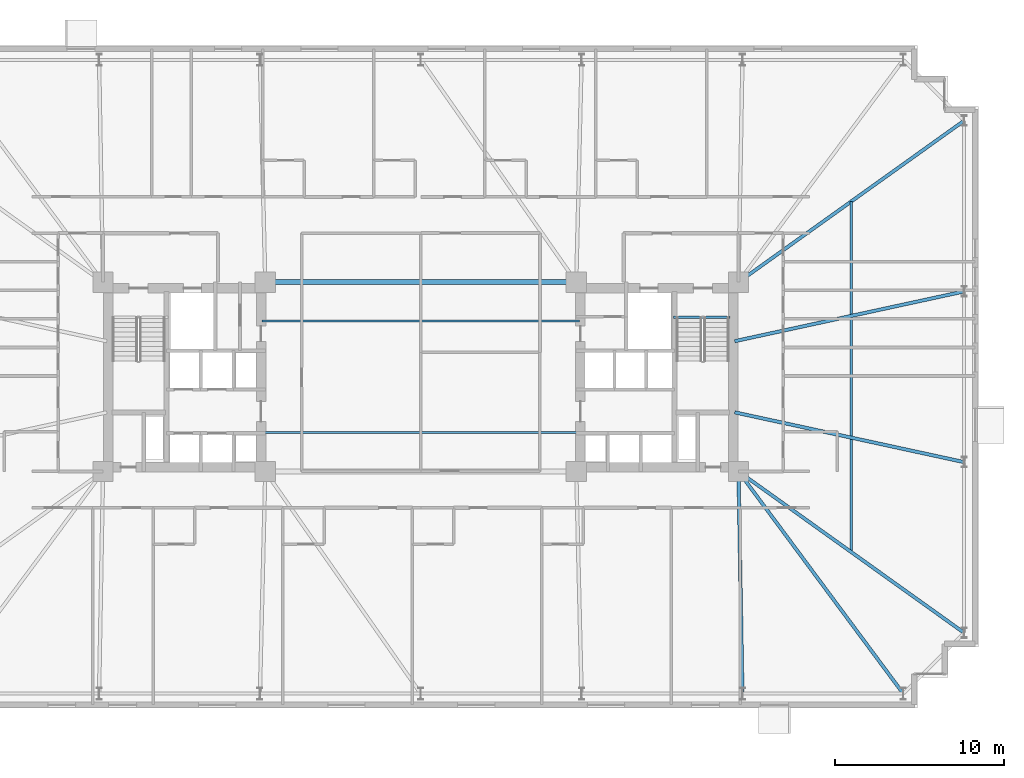
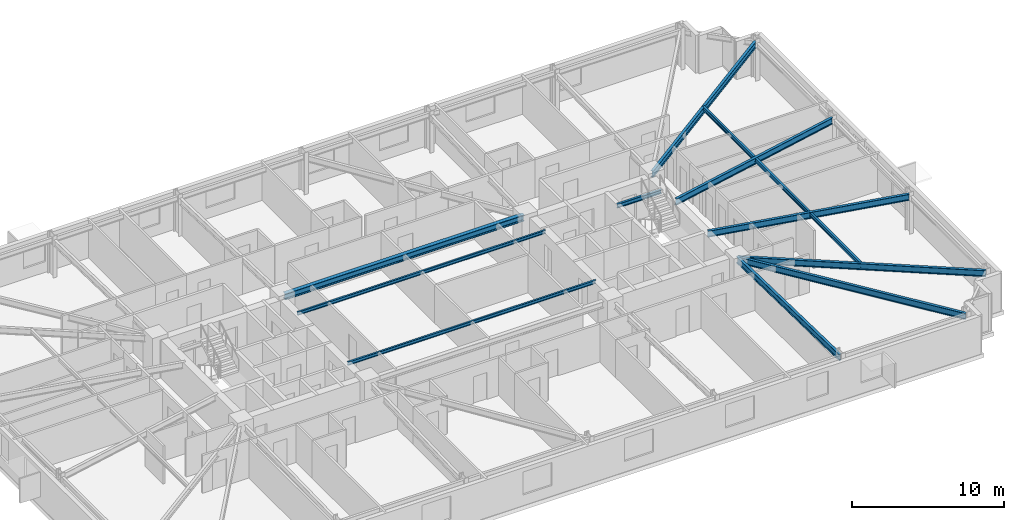
# One storey, part 7 of 21: 11 beams.
"""IFC4 building model written with IfcOpenShell, lengths in metres."""

from ifc_helpers import new_model, si_unit, direction, frame, origin, origin_2d, place, context, subcontext, project, spatial, i_section, extrude, material, material_profile, profile_set, type_object, element, save


model = new_model("IFC4")

# Units and contexts
model_context = context("Model", 3, precision=1e-05, world=origin(), true_north=direction((0.0, 1.0)))
body_context = subcontext(model_context, "Body", "Model", "MODEL_VIEW")
ifc_project = project(units=[si_unit("LENGTHUNIT", "METRE"), si_unit("AREAUNIT", "SQUARE_METRE"), si_unit("VOLUMEUNIT", "CUBIC_METRE"), si_unit("PLANEANGLEUNIT", "RADIAN"), si_unit("MASSUNIT", "GRAM", prefix="KILO")], contexts=[model_context])

# Site, building, storey
site_placement = place(None, origin())
site = spatial("IfcSite", under=ifc_project, at=site_placement, CompositionType="ELEMENT")
building_placement = place(site_placement, origin())
building = spatial("IfcBuilding", under=site, at=building_placement, Name="Qobustan Lattice House", CompositionType="ELEMENT")
storey_placement = place(building_placement, frame((0.0, 0.0, 30.35009765625)))
storey = spatial("IfcBuildingStorey", under=building, at=storey_placement, Name="L07", CompositionType="ELEMENT", Elevation=30.35009765625)

# Beams
ifc_material_1 = material(Name="Steel S355", Category="steel")
ifc_material_profile_1 = material_profile(ifc_material_1, i_section(OverallWidth=0.300048828125, OverallDepth=0.5, WebThickness=0.014404296875, FlangeThickness=0.028076171875, FilletRadius=0.027099609375, at=origin_2d()), Name="HEB500")
ifc_profile_set_1 = profile_set([ifc_material_profile_1], Name="Steel S355")
beam_type_1 = type_object("IfcBeamType", Name="BM-CG-HEB500", PredefinedType="USERDEFINED", material=ifc_profile_set_1)
beam_1_placement = place(storey_placement, frame((-9.050048828125, 5.60009765625, 2.784912109375), z_axis=(1.0, 0.0, 0.0), x_axis=(0.0, 1.0, 0.0)))
element("IfcBeam", 1, at=beam_1_placement, inside=storey, type_object=beam_type_1, Name="L07 core spine girder CG-CN", ObjectType="GIRDER", PredefinedType="USERDEFINED", context=body_context, shape_type="SweptSolid", body=[
    extrude(i_section(OverallWidth=0.300048828125, OverallDepth=0.5, WebThickness=0.014404296875, FlangeThickness=0.028076171875, FilletRadius=0.027099609375, at=origin_2d()), origin(), (0.0, 0.0, 1.0), 18.10009765625),
])
ifc_material_2 = material(Name="Steel S355", Category="steel")
ifc_material_profile_2 = material_profile(ifc_material_2, i_section(OverallWidth=0.199951171875, OverallDepth=0.5, WebThickness=0.01025390625, FlangeThickness=0.01611328125, FilletRadius=0.02099609375, at=origin_2d()), Name="IPE500")
ifc_profile_set_2 = profile_set([ifc_material_profile_2], Name="Steel S355")
beam_type_2 = type_object("IfcBeamType", Name="BM-FLG-IPE500", PredefinedType="USERDEFINED", material=ifc_profile_set_2)
beam_2_placement = place(storey_placement, frame((19.032958984375, -18.72509765625, 2.784912109375), z_axis=(-0.017757831607, 0.999842317276, 0.0), x_axis=(-0.999842317276, -0.017757831607, 0.0)))
element("IfcBeam", 2, at=beam_2_placement, inside=storey, type_object=beam_type_2, Name="L07 primary floor girder RAD-S6", ObjectType="GIRDER", PredefinedType="USERDEFINED", context=body_context, shape_type="SweptSolid", body=[
    extrude(i_section(OverallWidth=0.199951171875, OverallDepth=0.5, WebThickness=0.01025390625, FlangeThickness=0.01611328125, FilletRadius=0.02099609375, at=origin_2d()), origin(), (0.0, 0.0, 1.0), 13.10205078125),
])
beam_3_placement = place(storey_placement, frame((28.53515625, -18.72998046875, 2.784912109375), z_axis=(-0.5955916815, 0.803287338956, 0.0), x_axis=(-0.803287338956, -0.5955916815, 0.0)))
element("IfcBeam", 3, at=beam_3_placement, inside=storey, type_object=beam_type_2, Name="L07 primary floor girder RAD-S7E", ObjectType="GIRDER", PredefinedType="USERDEFINED", context=body_context, shape_type="SweptSolid", body=[
    extrude(i_section(OverallWidth=0.199951171875, OverallDepth=0.5, WebThickness=0.01025390625, FlangeThickness=0.01611328125, FilletRadius=0.02099609375, at=origin_2d()), origin(), (0.0, 0.0, 1.0), 16.3203125),
])
beam_4_placement = place(storey_placement, frame((32.129638671875, 15.135498046875, 2.784912109375), z_axis=(-0.813318954893, -0.581818079481, 0.0), x_axis=(0.581818079481, -0.813318954893, 0.0)))
element("IfcBeam", 4, at=beam_4_placement, inside=storey, type_object=beam_type_2, Name="L07 primary floor girder RAD-E4", ObjectType="GIRDER", PredefinedType="USERDEFINED", context=body_context, shape_type="SweptSolid", body=[
    extrude(i_section(OverallWidth=0.199951171875, OverallDepth=0.5, WebThickness=0.01025390625, FlangeThickness=0.01611328125, FilletRadius=0.02099609375, at=origin_2d()), origin(), (0.0, 0.0, 1.0), 16.3642578125),
])
for number, where, z_axis, x_axis, name in (
    (5, (32.12548828125, 5.044677734375, 2.784912109375), (-0.97727240275, -0.211987383643, 0.0), (0.211987383643, -0.97727240275, 0.0), "L07 primary floor girder RAD-E3"),
    (6, (32.12548828125, -5.044677734375, 2.784912109375), (-0.97727240275, 0.211987383643, 0.0), (-0.211987383643, -0.97727240275, 0.0), "L07 primary floor girder RAD-E2"),
):
    element("IfcBeam", number, at=place(storey_placement, frame(where, z_axis=z_axis, x_axis=x_axis)), inside=storey, type_object=beam_type_2, Name=name, ObjectType="GIRDER", PredefinedType="USERDEFINED", context=body_context, shape_type="SweptSolid", body=[
        extrude(i_section(OverallWidth=0.199951171875, OverallDepth=0.5, WebThickness=0.01025390625, FlangeThickness=0.01611328125, FilletRadius=0.02099609375, at=origin_2d()), origin(), (0.0, 0.0, 1.0), 13.8662109375),
    ])
beam_5_placement = place(storey_placement, frame((32.129638671875, -15.135498046875, 2.784912109375), z_axis=(-0.813318954893, 0.581818079481, 0.0), x_axis=(-0.581818079481, -0.813318954893, 0.0)))
element("IfcBeam", 7, at=beam_5_placement, inside=storey, type_object=beam_type_2, Name="L07 primary floor girder RAD-E1", ObjectType="GIRDER", PredefinedType="USERDEFINED", context=body_context, shape_type="SweptSolid", body=[
    extrude(i_section(OverallWidth=0.199951171875, OverallDepth=0.5, WebThickness=0.01025390625, FlangeThickness=0.01611328125, FilletRadius=0.02099609375, at=origin_2d()), origin(), (0.0, 0.0, 1.0), 16.3642578125),
])
ifc_material_3 = material(Name="Steel S355", Category="steel")
ifc_material_profile_3 = material_profile(ifc_material_3, i_section(OverallWidth=0.135009765625, OverallDepth=0.27001953125, WebThickness=0.006591796875, FlangeThickness=0.01025390625, FilletRadius=0.014892578125, at=origin_2d()), Name="IPE270")
ifc_profile_set_3 = profile_set([ifc_material_profile_3], Name="Steel S355")
beam_type_3 = type_object("IfcBeamType", Name="BM-JST-IPE270", PredefinedType="JOIST", material=ifc_profile_set_3)
for number, where, z_axis, x_axis, name in (
    (8, (-9.39990234375, -3.300048828125, 2.89990234375), (1.0, 0.0, 0.0), (0.0, 1.0, 0.0), "L07 central span floor joist 1"),
    (9, (-9.39990234375, 3.300048828125, 2.89990234375), (1.0, 0.0, 0.0), (0.0, 1.0, 0.0), "L07 central span floor joist 2"),
):
    element("IfcBeam", number, at=place(storey_placement, frame(where, z_axis=z_axis, x_axis=x_axis)), inside=storey, type_object=beam_type_3, Name=name, PredefinedType="JOIST", context=body_context, shape_type="SweptSolid", body=[
        extrude(i_section(OverallWidth=0.135009765625, OverallDepth=0.27001953125, WebThickness=0.006591796875, FlangeThickness=0.01025390625, FilletRadius=0.014892578125, at=origin_2d()), origin(), (0.0, 0.0, 1.0), 18.7998046875),
    ])
ifc_material_4 = material(Name="Steel S355", Category="steel")
ifc_material_profile_4 = material_profile(ifc_material_4, i_section(OverallWidth=0.159912109375, OverallDepth=0.330078125, WebThickness=0.007568359375, FlangeThickness=0.011474609375, FilletRadius=0.01806640625, at=origin_2d()), Name="IPE330")
ifc_profile_set_4 = profile_set([ifc_material_profile_4], Name="Steel S355")
beam_type_4 = type_object("IfcBeamType", Name="BM-SEC-IPE330", PredefinedType="BEAM", material=ifc_profile_set_4)
beam_6_placement = place(storey_placement, frame((25.47509765625, 10.375, 2.869873046875), z_axis=(0.0, -1.0, 0.0), x_axis=(1.0, 0.0, 0.0)))
element("IfcBeam", 10, at=beam_6_placement, inside=storey, type_object=beam_type_4, Name="L07 east wing secondary beam", PredefinedType="BEAM", context=body_context, shape_type="SweptSolid", body=[
    extrude(i_section(OverallWidth=0.159912109375, OverallDepth=0.330078125, WebThickness=0.007568359375, FlangeThickness=0.011474609375, FilletRadius=0.01806640625, at=origin_2d()), origin(), (0.0, 0.0, 1.0), 20.75),
])
ifc_material_5 = material(Name="Steel S355", Category="steel")
ifc_material_profile_5 = material_profile(ifc_material_5, i_section(OverallWidth=0.159912109375, OverallDepth=0.330078125, WebThickness=0.007568359375, FlangeThickness=0.011474609375, FilletRadius=0.01806640625, at=origin_2d()), Name="IPE330")
ifc_profile_set_5 = profile_set([ifc_material_profile_5], Name="Steel S355")
beam_type_5 = type_object("IfcBeamType", Name="BM-SPD-IPE330", PredefinedType="SPANDREL", material=ifc_profile_set_5)
beam_7_placement = place(storey_placement, frame((14.949951171875, 3.52001953125, 2.869873046875), z_axis=(1.0, 0.0, 0.0), x_axis=(0.0, 1.0, 0.0)))
element("IfcBeam", 11, at=beam_7_placement, inside=storey, type_object=beam_type_5, Name="L07 east stair landing trimmer beam", PredefinedType="SPANDREL", context=body_context, shape_type="SweptSolid", body=[
    extrude(i_section(OverallWidth=0.159912109375, OverallDepth=0.330078125, WebThickness=0.007568359375, FlangeThickness=0.011474609375, FilletRadius=0.01806640625, at=origin_2d()), origin(), (0.0, 0.0, 1.0), 3.35009765625),
])

save(model, "model.ifc")
